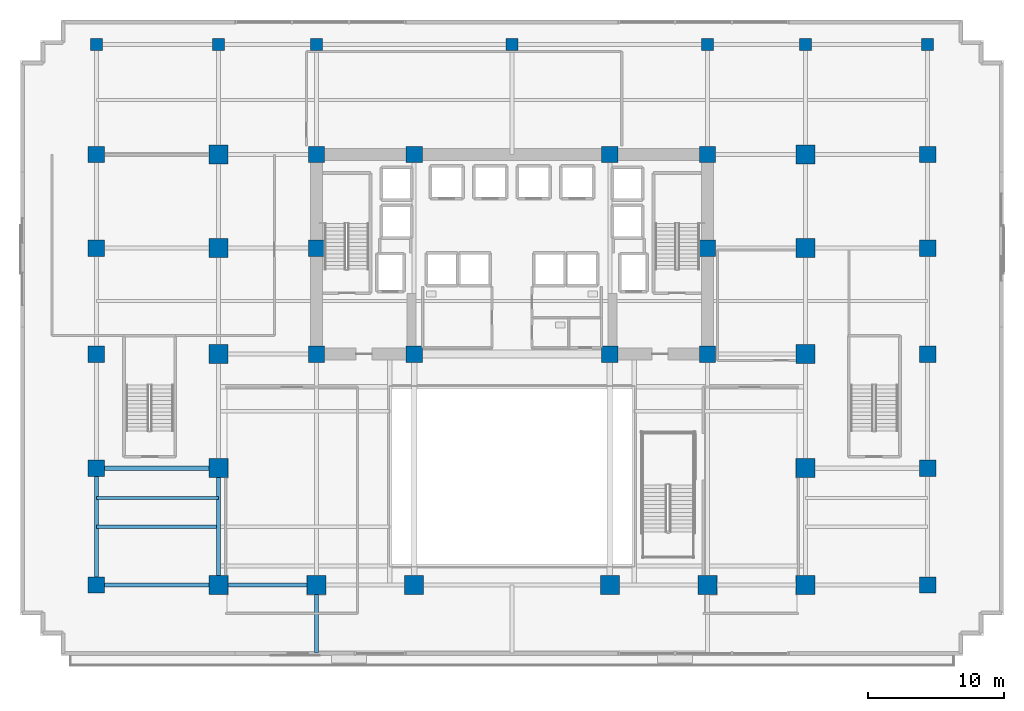
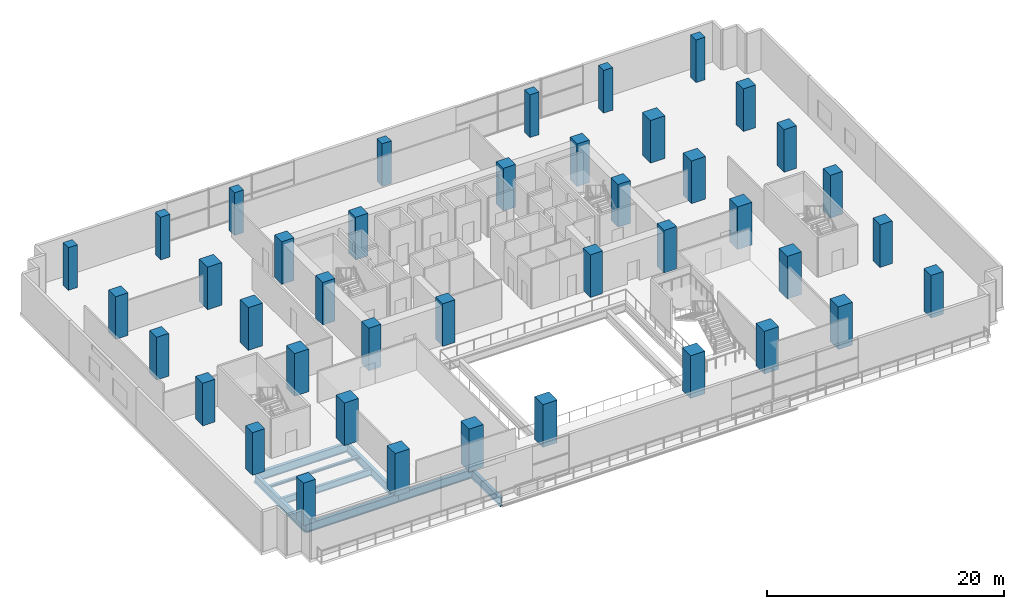
# One storey, part 1 of 23: 41 columns, 8 beams.
"""IFC4 building model written with IfcOpenShell, lengths in metres."""

from ifc_helpers import new_model, si_unit, direction, frame, origin, origin_2d, place, context, subcontext, project, spatial, rectangle, i_section, extrude, material, material_profile, profile_set, type_object, element, save


model = new_model("IFC4")

# Units and contexts
model_context = context("Model", 3, precision=1e-05, world=origin(), true_north=direction((0.0, 1.0)))
body_context = subcontext(model_context, "Body", "Model", "MODEL_VIEW")
ifc_project = project(units=[si_unit("LENGTHUNIT", "METRE"), si_unit("AREAUNIT", "SQUARE_METRE"), si_unit("VOLUMEUNIT", "CUBIC_METRE"), si_unit("PLANEANGLEUNIT", "RADIAN"), si_unit("MASSUNIT", "GRAM", prefix="KILO")], contexts=[model_context])

# Site, building, storey
site_placement = place(None, origin())
site = spatial("IfcSite", under=ifc_project, at=site_placement, CompositionType="ELEMENT")
building_placement = place(site_placement, origin())
building = spatial("IfcBuilding", under=site, at=building_placement, Name="Zarnakvel Exchange Tower", CompositionType="ELEMENT")
storey_placement = place(building_placement, frame((0.0, 0.0, 13.800048828125)))
storey = spatial("IfcBuildingStorey", under=building, at=storey_placement, Name="L03", CompositionType="ELEMENT", Elevation=13.800048828125)

# Columns
ifc_material_1 = material(Name="Concrete C80/95", Category="concrete")
ifc_material_profile_1 = material_profile(ifc_material_1, rectangle(XDim=1.199951171875, YDim=1.199951171875, at=origin_2d()))
ifc_profile_set_1 = profile_set([ifc_material_profile_1], Name="Concrete C80/95")
column_type_1 = type_object("IfcColumnType", Name="CC-01", PredefinedType="COLUMN", material=ifc_profile_set_1)
for number, where, z_axis, x_axis, name in (
    (1, (-14.39990234375, -1.199951171875, 0.0), (0.0, 0.0, 1.0), (1.0, 0.0, 0.0), "L03 Column C-4D (CC-01)"),
    (2, (-7.199951171875, -1.199951171875, 0.0), (0.0, 0.0, 1.0), (1.0, 0.0, 0.0), "L03 Column C-5D (CC-01)"),
    (3, (7.199951171875, -1.199951171875, 0.0), (0.0, 0.0, 1.0), (1.0, 0.0, 0.0), "L03 Column C-8D (CC-01)"),
    (4, (14.39990234375, -1.199951171875, 0.0), (0.0, 0.0, 1.0), (1.0, 0.0, 0.0), "L03 Column C-9D (CC-01)"),
    (5, (-14.39990234375, 6.60009765625, 0.0), (0.0, 0.0, 1.0), (1.0, 0.0, 0.0), "L03 Column C-4E (CC-01)"),
    (6, (14.39990234375, 6.60009765625, 0.0), (0.0, 0.0, 1.0), (1.0, 0.0, 0.0), "L03 Column C-9E (CC-01)"),
    (7, (-14.39990234375, 13.5, 0.0), (0.0, 0.0, 1.0), (1.0, 0.0, 0.0), "L03 Column C-4F (CC-01)"),
    (8, (-7.199951171875, 13.5, 0.0), (0.0, 0.0, 1.0), (1.0, 0.0, 0.0), "L03 Column C-5F (CC-01)"),
    (9, (7.199951171875, 13.5, 0.0), (0.0, 0.0, 1.0), (1.0, 0.0, 0.0), "L03 Column C-8F (CC-01)"),
    (10, (14.39990234375, 13.5, 0.0), (0.0, 0.0, 1.0), (1.0, 0.0, 0.0), "L03 Column C-9F (CC-01)"),
):
    element("IfcColumn", number, at=place(storey_placement, frame(where, z_axis=z_axis, x_axis=x_axis)), inside=storey, type_object=column_type_1, Name=name, PredefinedType="COLUMN", context=body_context, shape_type="SweptSolid", body=[
        extrude(rectangle(XDim=1.199951171875, YDim=1.199951171875, at=origin_2d()), origin(), (0.0, 0.0, 1.0), 4.39990234375),
    ])
ifc_material_profile_2 = material_profile(ifc_material_1, rectangle(XDim=1.39990234375, YDim=1.39990234375, at=origin_2d()))
ifc_profile_set_2 = profile_set([ifc_material_profile_2], Name="Concrete C80/95")
column_type_2 = type_object("IfcColumnType", Name="MC-02", PredefinedType="COLUMN", material=ifc_profile_set_2)
for number, where, z_axis, x_axis, name in (
    (11, (-21.60009765625, -18.199951171875, 0.0), (0.0, 0.0, 1.0), (1.0, 0.0, 0.0), "L03 Column M-3B (MC-02)"),
    (12, (-14.39990234375, -18.199951171875, 0.0), (0.0, 0.0, 1.0), (1.0, 0.0, 0.0), "L03 Column M-4B (MC-02)"),
    (13, (-7.199951171875, -18.199951171875, 0.0), (0.0, 0.0, 1.0), (1.0, 0.0, 0.0), "L03 Column M-5B (MC-02)"),
    (14, (7.199951171875, -18.199951171875, 0.0), (0.0, 0.0, 1.0), (1.0, 0.0, 0.0), "L03 Column M-8B (MC-02)"),
    (15, (14.39990234375, -18.199951171875, 0.0), (0.0, 0.0, 1.0), (1.0, 0.0, 0.0), "L03 Column M-9B (MC-02)"),
    (16, (21.60009765625, -18.199951171875, 0.0), (0.0, 0.0, 1.0), (1.0, 0.0, 0.0), "L03 Column M-10B (MC-02)"),
    (17, (-21.60009765625, -9.60009765625, 0.0), (0.0, 0.0, 1.0), (1.0, 0.0, 0.0), "L03 Column M-3C (MC-02)"),
    (18, (21.60009765625, -9.60009765625, 0.0), (0.0, 0.0, 1.0), (1.0, 0.0, 0.0), "L03 Column M-10C (MC-02)"),
    (19, (-21.60009765625, -1.199951171875, 0.0), (0.0, 0.0, 1.0), (1.0, 0.0, 0.0), "L03 Column M-3D (MC-02)"),
    (20, (21.60009765625, -1.199951171875, 0.0), (0.0, 0.0, 1.0), (1.0, 0.0, 0.0), "L03 Column M-10D (MC-02)"),
    (21, (-21.60009765625, 6.60009765625, 0.0), (0.0, 0.0, 1.0), (1.0, 0.0, 0.0), "L03 Column M-3E (MC-02)"),
    (22, (21.60009765625, 6.60009765625, 0.0), (0.0, 0.0, 1.0), (1.0, 0.0, 0.0), "L03 Column M-10E (MC-02)"),
    (23, (-21.60009765625, 13.5, 0.0), (0.0, 0.0, 1.0), (1.0, 0.0, 0.0), "L03 Column M-3F (MC-02)"),
    (24, (21.60009765625, 13.5, 0.0), (0.0, 0.0, 1.0), (1.0, 0.0, 0.0), "L03 Column M-10F (MC-02)"),
):
    element("IfcColumn", number, at=place(storey_placement, frame(where, z_axis=z_axis, x_axis=x_axis)), inside=storey, type_object=column_type_2, Name=name, PredefinedType="COLUMN", context=body_context, shape_type="SweptSolid", body=[
        extrude(rectangle(XDim=1.39990234375, YDim=1.39990234375, at=origin_2d()), origin(), (0.0, 0.0, 1.0), 4.39990234375),
    ])
ifc_material_profile_3 = material_profile(ifc_material_1, rectangle(XDim=1.199951171875, YDim=1.199951171875, at=origin_2d()))
ifc_profile_set_3 = profile_set([ifc_material_profile_3], Name="Concrete C80/95")
column_type_3 = type_object("IfcColumnType", Name="MC-03", PredefinedType="COLUMN", material=ifc_profile_set_3)
for number, where, z_axis, x_axis, name in (
    (25, (-30.60009765625, -18.199951171875, 0.0), (0.0, 0.0, 1.0), (1.0, 0.0, 0.0), "L03 Column W-2B (MC-03)"),
    (26, (-30.60009765625, -9.60009765625, 0.0), (0.0, 0.0, 1.0), (1.0, 0.0, 0.0), "L03 Column W-2C (MC-03)"),
    (27, (-30.60009765625, -1.199951171875, 0.0), (0.0, 0.0, 1.0), (1.0, 0.0, 0.0), "L03 Column W-2D (MC-03)"),
    (28, (-30.60009765625, 6.60009765625, 0.0), (0.0, 0.0, 1.0), (1.0, 0.0, 0.0), "L03 Column W-2E (MC-03)"),
    (29, (-30.60009765625, 13.5, 0.0), (0.0, 0.0, 1.0), (1.0, 0.0, 0.0), "L03 Column W-2F (MC-03)"),
    (30, (30.60009765625, -18.199951171875, 0.0), (0.0, 0.0, 1.0), (1.0, 0.0, 0.0), "L03 Column W-11B (MC-03)"),
    (31, (30.60009765625, -9.60009765625, 0.0), (0.0, 0.0, 1.0), (1.0, 0.0, 0.0), "L03 Column W-11C (MC-03)"),
    (32, (30.60009765625, -1.199951171875, 0.0), (0.0, 0.0, 1.0), (1.0, 0.0, 0.0), "L03 Column W-11D (MC-03)"),
    (33, (30.60009765625, 6.60009765625, 0.0), (0.0, 0.0, 1.0), (1.0, 0.0, 0.0), "L03 Column W-11E (MC-03)"),
    (34, (30.60009765625, 13.5, 0.0), (0.0, 0.0, 1.0), (1.0, 0.0, 0.0), "L03 Column W-11F (MC-03)"),
):
    element("IfcColumn", number, at=place(storey_placement, frame(where, z_axis=z_axis, x_axis=x_axis)), inside=storey, type_object=column_type_3, Name=name, PredefinedType="COLUMN", context=body_context, shape_type="SweptSolid", body=[
        extrude(rectangle(XDim=1.199951171875, YDim=1.199951171875, at=origin_2d()), origin(), (0.0, 0.0, 1.0), 4.39990234375),
    ])
ifc_material_2 = material(Name="Concrete C50/60", Category="concrete")
ifc_material_profile_4 = material_profile(ifc_material_2, rectangle(XDim=0.89990234375, YDim=0.89990234375, at=origin_2d()))
ifc_profile_set_4 = profile_set([ifc_material_profile_4], Name="Concrete C50/60")
column_type_4 = type_object("IfcColumnType", Name="MC-04", PredefinedType="COLUMN", material=ifc_profile_set_4)
for number, where, z_axis, x_axis, name in (
    (35, (-30.60009765625, 21.60009765625, 0.0), (0.0, 0.0, 1.0), (1.0, 0.0, 0.0), "L03 Column P-2G (MC-04)"),
    (36, (30.60009765625, 21.60009765625, 0.0), (0.0, 0.0, 1.0), (1.0, 0.0, 0.0), "L03 Column P-11G (MC-04)"),
    (37, (-21.60009765625, 21.60009765625, 0.0), (0.0, 0.0, 1.0), (1.0, 0.0, 0.0), "L03 Column P-3G (MC-04)"),
    (38, (21.60009765625, 21.60009765625, 0.0), (0.0, 0.0, 1.0), (1.0, 0.0, 0.0), "L03 Column P-10G (MC-04)"),
    (39, (-14.39990234375, 21.60009765625, 0.0), (0.0, 0.0, 1.0), (1.0, 0.0, 0.0), "L03 Column P-4G (MC-04)"),
    (40, (0.0, 21.60009765625, 0.0), (0.0, 0.0, 1.0), (1.0, 0.0, 0.0), "L03 Column P-65G (MC-04)"),
    (41, (14.39990234375, 21.60009765625, 0.0), (0.0, 0.0, 1.0), (1.0, 0.0, 0.0), "L03 Column P-9G (MC-04)"),
):
    element("IfcColumn", number, at=place(storey_placement, frame(where, z_axis=z_axis, x_axis=x_axis)), inside=storey, type_object=column_type_4, Name=name, PredefinedType="COLUMN", context=body_context, shape_type="SweptSolid", body=[
        extrude(rectangle(XDim=0.89990234375, YDim=0.89990234375, at=origin_2d()), origin(), (0.0, 0.0, 1.0), 4.39990234375),
    ])

# Beams
ifc_material_3 = material(Name="Steel S355", Category="steel")
ifc_material_profile_5 = material_profile(ifc_material_3, i_section(OverallWidth=0.255859375, OverallDepth=0.69287109375, WebThickness=0.014404296875, FlangeThickness=0.023681640625, FilletRadius=0.01513671875, at=origin_2d()))
ifc_profile_set_5 = profile_set([ifc_material_profile_5], Name="Steel S355")
beam_type_1 = type_object("IfcBeamType", Name="B-01", PredefinedType="JOIST", material=ifc_profile_set_5)
beam_1_placement = place(storey_placement, frame((-30.60009765625, -13.89990234375, -0.646484375), z_axis=(1.0, 0.0, 0.0), x_axis=(0.0, 1.0, 0.0)))
element("IfcBeam", 42, at=beam_1_placement, inside=storey, type_object=beam_type_1, Name="L03 Podium Wing Secondary Joist West", PredefinedType="JOIST", context=body_context, shape_type="SweptSolid", body=[
    extrude(i_section(OverallWidth=0.255859375, OverallDepth=0.69287109375, WebThickness=0.014404296875, FlangeThickness=0.023681640625, FilletRadius=0.01513671875, at=origin_2d()), origin(), (0.0, 0.0, 1.0), 8.85009765625),
])
ifc_material_profile_6 = material_profile(ifc_material_3, i_section(OverallWidth=0.300048828125, OverallDepth=0.89990234375, WebThickness=0.0185546875, FlangeThickness=0.034912109375, FilletRadius=0.030029296875, at=origin_2d()))
ifc_profile_set_6 = profile_set([ifc_material_profile_6], Name="Steel S355")
beam_type_2 = type_object("IfcBeamType", Name="G-01", PredefinedType="BEAM", material=ifc_profile_set_6)
beam_2_placement = place(storey_placement, frame((-30.60009765625, -18.199951171875, -0.75), z_axis=(1.0, 0.0, 0.0), x_axis=(0.0, 1.0, 0.0)))
element("IfcBeam", 43, at=beam_2_placement, inside=storey, type_object=beam_type_2, Name="L03 Primary E-W Girder Y=-18.2", PredefinedType="BEAM", context=body_context, shape_type="SweptSolid", body=[
    extrude(i_section(OverallWidth=0.300048828125, OverallDepth=0.89990234375, WebThickness=0.0185546875, FlangeThickness=0.034912109375, FilletRadius=0.030029296875, at=origin_2d()), origin(), (0.0, 0.0, 1.0), 9.0),
])
beam_3_placement = place(storey_placement, frame((-21.60009765625, -18.199951171875, -0.75), z_axis=(1.0, 0.0, 0.0), x_axis=(0.0, 1.0, 0.0)))
element("IfcBeam", 44, at=beam_3_placement, inside=storey, type_object=beam_type_2, Name="L03 Primary E-W Girder Y=-18.2", PredefinedType="BEAM", context=body_context, shape_type="SweptSolid", body=[
    extrude(i_section(OverallWidth=0.300048828125, OverallDepth=0.89990234375, WebThickness=0.0185546875, FlangeThickness=0.034912109375, FilletRadius=0.030029296875, at=origin_2d()), origin(), (0.0, 0.0, 1.0), 7.2001953125),
])
beam_4_placement = place(storey_placement, frame((-30.60009765625, -9.60009765625, -0.75), z_axis=(1.0, 0.0, 0.0), x_axis=(0.0, 1.0, 0.0)))
element("IfcBeam", 45, at=beam_4_placement, inside=storey, type_object=beam_type_2, Name="L03 Primary E-W Girder Y=-9.6", PredefinedType="BEAM", context=body_context, shape_type="SweptSolid", body=[
    extrude(i_section(OverallWidth=0.300048828125, OverallDepth=0.89990234375, WebThickness=0.0185546875, FlangeThickness=0.034912109375, FilletRadius=0.030029296875, at=origin_2d()), origin(), (0.0, 0.0, 1.0), 9.0),
])
for number, where, z_axis, x_axis, name in (
    (46, (-30.60009765625, -18.199951171875, -0.75), (0.0, 1.0, 0.0), (-1.0, 0.0, 0.0), "L03 Primary N-S Girder X=-30.6"),
    (47, (-21.60009765625, -18.199951171875, -0.75), (0.0, 1.0, 0.0), (-1.0, 0.0, 0.0), "L03 Primary N-S Girder X=-21.6"),
):
    element("IfcBeam", number, at=place(storey_placement, frame(where, z_axis=z_axis, x_axis=x_axis)), inside=storey, type_object=beam_type_2, Name=name, PredefinedType="BEAM", context=body_context, shape_type="SweptSolid", body=[
        extrude(i_section(OverallWidth=0.300048828125, OverallDepth=0.89990234375, WebThickness=0.0185546875, FlangeThickness=0.034912109375, FilletRadius=0.030029296875, at=origin_2d()), origin(), (0.0, 0.0, 1.0), 8.599853515625),
    ])
beam_5_placement = place(storey_placement, frame((-14.39990234375, -23.199951171875, -0.75), z_axis=(0.0, 1.0, 0.0), x_axis=(-1.0, 0.0, 0.0)))
element("IfcBeam", 48, at=beam_5_placement, inside=storey, type_object=beam_type_2, Name="L03 Primary N-S Girder X=-14.4", PredefinedType="BEAM", context=body_context, shape_type="SweptSolid", body=[
    extrude(i_section(OverallWidth=0.300048828125, OverallDepth=0.89990234375, WebThickness=0.0185546875, FlangeThickness=0.034912109375, FilletRadius=0.030029296875, at=origin_2d()), origin(), (0.0, 0.0, 1.0), 5.0),
])
ifc_material_profile_7 = material_profile(ifc_material_3, i_section(OverallWidth=0.239990234375, OverallDepth=0.239990234375, WebThickness=0.010009765625, FlangeThickness=0.01708984375, FilletRadius=0.02099609375, at=origin_2d()))
ifc_profile_set_7 = profile_set([ifc_material_profile_7], Name="Steel S355")
beam_type_3 = type_object("IfcBeamType", Name="LN-01", PredefinedType="LINTEL", material=ifc_profile_set_7)
beam_6_placement = place(storey_placement, frame((-30.60009765625, -11.800048828125, -0.420166015625), z_axis=(1.0, 0.0, 0.0), x_axis=(0.0, 1.0, 0.0)))
element("IfcBeam", 49, at=beam_6_placement, inside=storey, type_object=beam_type_3, Name="L03 Concourse Gallery Opening Lintel West", PredefinedType="LINTEL", context=body_context, shape_type="SweptSolid", body=[
    extrude(i_section(OverallWidth=0.239990234375, OverallDepth=0.239990234375, WebThickness=0.010009765625, FlangeThickness=0.01708984375, FilletRadius=0.02099609375, at=origin_2d()), origin(), (0.0, 0.0, 1.0), 9.0),
])

save(model, "model.ifc")
